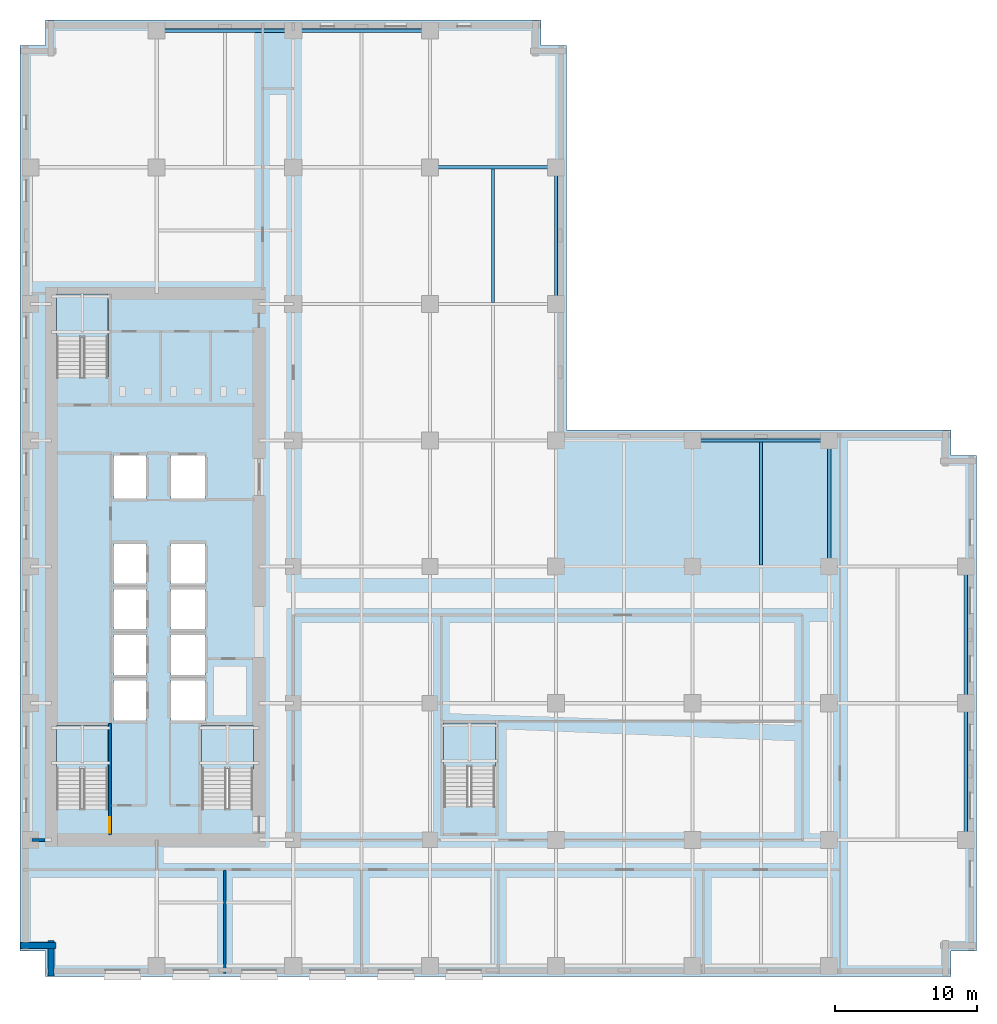
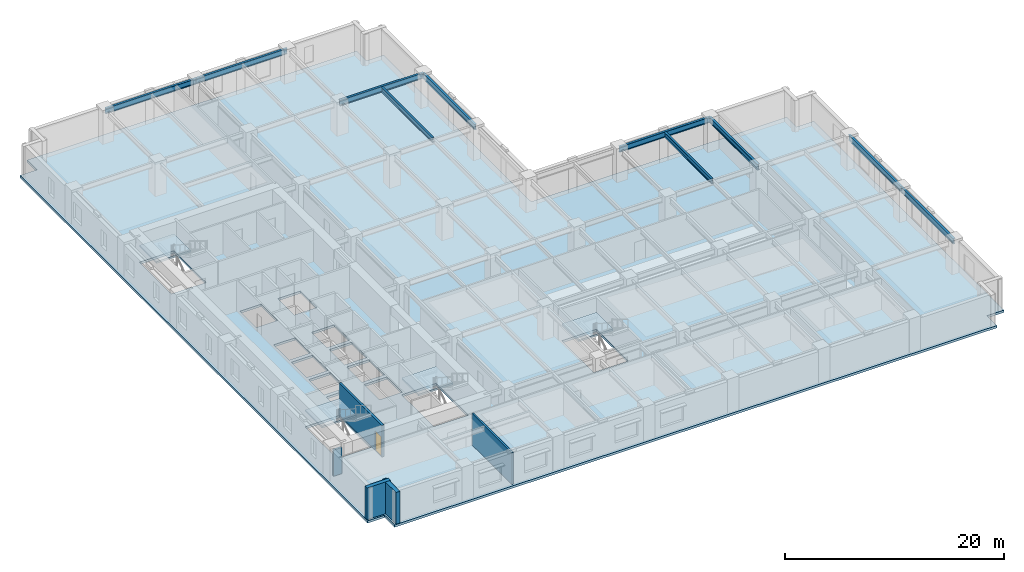
# One storey, part 3 of 14: 10 beams, 5 slabs, 5 walls, 1 door, 1 opening, 4 elements without a shape of their own.
"""IFC4 building model written with IfcOpenShell, lengths in metres."""

from ifc_helpers import new_model, si_unit, direction, frame, frame_2d, origin, origin_2d, place, context, subcontext, project, spatial, polyline, rectangle, i_section, outline, extrude, material, layer, layer_set, material_profile, profile_set, type_object, element, fill, aggregate, save


model = new_model("IFC4")

# Units and contexts
model_context = context("Model", 3, precision=1e-05, world=origin(), true_north=direction((0.0, 1.0)))
body_context = subcontext(model_context, "Body", "Model", "MODEL_VIEW")
ifc_project = project(units=[si_unit("LENGTHUNIT", "METRE"), si_unit("AREAUNIT", "SQUARE_METRE"), si_unit("VOLUMEUNIT", "CUBIC_METRE"), si_unit("PLANEANGLEUNIT", "RADIAN"), si_unit("MASSUNIT", "GRAM", prefix="KILO")], contexts=[model_context])

# Site, building, storey
site_placement = place(None, origin())
site = spatial("IfcSite", under=ifc_project, at=site_placement, CompositionType="ELEMENT")
building_placement = place(site_placement, origin())
building = spatial("IfcBuilding", under=site, at=building_placement, Name="Norrvale University Quadrangle", CompositionType="ELEMENT")
storey_placement = place(building_placement, frame((0.0, 0.0, 28.0)))
storey = spatial("IfcBuildingStorey", under=building, at=storey_placement, Name="L06", CompositionType="ELEMENT", Elevation=28.0)

# Beams
ifc_material_1 = material(Name="Steel 350W", Category="steel")
ifc_material_profile_1 = material_profile(ifc_material_1, i_section(OverallWidth=0.208984375, OverallDepth=0.532958984375, WebThickness=0.01025390625, FlangeThickness=0.015625, FilletRadius=0.013916015625, at=origin_2d()), Name="Steel 350W")
ifc_profile_set_1 = profile_set([ifc_material_profile_1], Name="Steel 350W")
beam_type_1 = type_object("IfcBeamType", Name="Beam Floor W530x92", PredefinedType="JOIST", material=ifc_profile_set_1)
beam_1_placement = place(storey_placement, frame((33.22509765625, 47.364990234375, 3.2734375), z_axis=(0.0, 1.0, 0.0), x_axis=(-1.0, 0.0, 0.0)))
element("IfcBeam", 1, at=beam_1_placement, inside=storey, type_object=beam_type_1, Name="Beam Floor W530x92 BM-L06-J091", PredefinedType="JOIST", context=body_context, shape_type="SweptSolid", body=[
    extrude(i_section(OverallWidth=0.208984375, OverallDepth=0.532958984375, WebThickness=0.01025390625, FlangeThickness=0.015625, FilletRadius=0.013916015625, at=origin_2d()), origin(), (0.0, 0.0, 1.0), 9.3701171875),
])
beam_2_placement = place(storey_placement, frame((52.050048828125, 28.9150390625, 3.2734375), z_axis=(0.0, 1.0, 0.0), x_axis=(-1.0, 0.0, 0.0)))
element("IfcBeam", 2, at=beam_2_placement, inside=storey, type_object=beam_type_1, Name="Beam Floor W530x92 BM-L06-J099", PredefinedType="JOIST", context=body_context, shape_type="SweptSolid", body=[
    extrude(i_section(OverallWidth=0.208984375, OverallDepth=0.532958984375, WebThickness=0.01025390625, FlangeThickness=0.015625, FilletRadius=0.013916015625, at=origin_2d()), origin(), (0.0, 0.0, 1.0), 8.619873046875),
])
ifc_material_profile_2 = material_profile(ifc_material_1, i_section(OverallWidth=0.22998046875, OverallDepth=0.616943359375, WebThickness=0.01318359375, FlangeThickness=0.022216796875, FilletRadius=0.01611328125, at=origin_2d()), Name="Steel 350W")
ifc_profile_set_2 = profile_set([ifc_material_profile_2], Name="Steel 350W")
beam_type_2 = type_object("IfcBeamType", Name="Beam Floor W610x140", PredefinedType="BEAM", material=ifc_profile_set_2)
beam_3_placement = place(storey_placement, frame((47.25, 37.64990234375, 3.2314453125), z_axis=(1.0, 0.0, 0.0), x_axis=(0.0, 1.0, 0.0)))
element("IfcBeam", 3, at=beam_3_placement, inside=storey, type_object=beam_type_2, Name="Beam Floor W610x140 BM-L06-GX024", PredefinedType="BEAM", context=body_context, shape_type="SweptSolid", body=[
    extrude(i_section(OverallWidth=0.22998046875, OverallDepth=0.616943359375, WebThickness=0.01318359375, FlangeThickness=0.022216796875, FilletRadius=0.01611328125, at=origin_2d()), origin(), (0.0, 0.0, 1.0), 9.60009765625),
])
beam_4_placement = place(storey_placement, frame((28.800048828125, 56.85009765625, 3.2314453125), z_axis=(1.0, 0.0, 0.0), x_axis=(0.0, 1.0, 0.0)))
element("IfcBeam", 4, at=beam_4_placement, inside=storey, type_object=beam_type_2, Name="Beam Floor W610x140 BM-L06-GX030", PredefinedType="BEAM", context=body_context, shape_type="SweptSolid", body=[
    extrude(i_section(OverallWidth=0.22998046875, OverallDepth=0.616943359375, WebThickness=0.01318359375, FlangeThickness=0.022216796875, FilletRadius=0.01611328125, at=origin_2d()), origin(), (0.0, 0.0, 1.0), 8.849853515625),
])
beam_5_placement = place(storey_placement, frame((9.60009765625, 66.449951171875, 3.2314453125), z_axis=(1.0, 0.0, 0.0), x_axis=(0.0, 1.0, 0.0)))
element("IfcBeam", 5, at=beam_5_placement, inside=storey, type_object=beam_type_2, Name="Beam Floor W610x140 BM-L06-GX031", PredefinedType="BEAM", context=body_context, shape_type="SweptSolid", body=[
    extrude(i_section(OverallWidth=0.22998046875, OverallDepth=0.616943359375, WebThickness=0.01318359375, FlangeThickness=0.022216796875, FilletRadius=0.01611328125, at=origin_2d()), origin(), (0.0, 0.0, 1.0), 9.599853515625),
])
for number, where, z_axis, x_axis, name in (
    (6, (19.199951171875, 66.449951171875, 3.2314453125), (1.0, 0.0, 0.0), (0.0, 1.0, 0.0), "Beam Floor W610x140 BM-L06-GX032"),
    (7, (37.64990234375, 47.25, 3.2314453125), (0.0, 1.0, 0.0), (-1.0, 0.0, 0.0), "Beam Floor W610x140 BM-L06-GY058"),
):
    element("IfcBeam", number, at=place(storey_placement, frame(where, z_axis=z_axis, x_axis=x_axis)), inside=storey, type_object=beam_type_2, Name=name, PredefinedType="BEAM", context=body_context, shape_type="SweptSolid", body=[
        extrude(i_section(OverallWidth=0.22998046875, OverallDepth=0.616943359375, WebThickness=0.01318359375, FlangeThickness=0.022216796875, FilletRadius=0.01611328125, at=origin_2d()), origin(), (0.0, 0.0, 1.0), 9.60009765625),
    ])
beam_6_placement = place(storey_placement, frame((56.85009765625, 28.800048828125, 3.2314453125), z_axis=(0.0, 1.0, 0.0), x_axis=(-1.0, 0.0, 0.0)))
element("IfcBeam", 8, at=beam_6_placement, inside=storey, type_object=beam_type_2, Name="Beam Floor W610x140 BM-L06-GY066", PredefinedType="BEAM", context=body_context, shape_type="SweptSolid", body=[
    extrude(i_section(OverallWidth=0.22998046875, OverallDepth=0.616943359375, WebThickness=0.01318359375, FlangeThickness=0.022216796875, FilletRadius=0.01611328125, at=origin_2d()), origin(), (0.0, 0.0, 1.0), 8.849853515625),
])
beam_7_placement = place(storey_placement, frame((66.449951171875, 9.60009765625, 3.2314453125), z_axis=(0.0, 1.0, 0.0), x_axis=(-1.0, 0.0, 0.0)))
element("IfcBeam", 9, at=beam_7_placement, inside=storey, type_object=beam_type_2, Name="Beam Floor W610x140 BM-L06-GY067", PredefinedType="BEAM", context=body_context, shape_type="SweptSolid", body=[
    extrude(i_section(OverallWidth=0.22998046875, OverallDepth=0.616943359375, WebThickness=0.01318359375, FlangeThickness=0.022216796875, FilletRadius=0.01611328125, at=origin_2d()), origin(), (0.0, 0.0, 1.0), 9.599853515625),
])
beam_8_placement = place(storey_placement, frame((66.449951171875, 19.199951171875, 3.2314453125), z_axis=(0.0, 1.0, 0.0), x_axis=(-1.0, 0.0, 0.0)))
element("IfcBeam", 10, at=beam_8_placement, inside=storey, type_object=beam_type_2, Name="Beam Floor W610x140 BM-L06-GY068", PredefinedType="BEAM", context=body_context, shape_type="SweptSolid", body=[
    extrude(i_section(OverallWidth=0.22998046875, OverallDepth=0.616943359375, WebThickness=0.01318359375, FlangeThickness=0.022216796875, FilletRadius=0.01611328125, at=origin_2d()), origin(), (0.0, 0.0, 1.0), 9.60009765625),
])

# Stair, slab
ifc_material_2 = material(Name="Concrete C40/50", Category="concrete")
stair_type = type_object("IfcStairType", Name="Stair Tower Typ 3800", PredefinedType="TWO_STRAIGHT_RUN_STAIR", material=ifc_material_2)
stair_1_placement = place(storey_placement, origin())
stair_1 = element("IfcStair", 11, at=stair_1_placement, inside=storey, type_object=stair_type, Name="Exit Stair ST-01 L06", PredefinedType="TWO_STRAIGHT_RUN_STAIR")
ifc_layer_1 = layer(ifc_material_2, 0.199951171875, Name="Concrete C40/50")
ifc_layer_set_1 = layer_set([ifc_layer_1], Name="Concrete C40/50")
slab_type_1 = type_object("IfcSlabType", Name="Slab Landing 200", PredefinedType="LANDING", material=ifc_layer_set_1)
slab_1_placement = place(storey_placement, frame((0.0, 0.0, 1.699951171875)))
slab_1 = element("IfcSlab", 12, at=slab_1_placement, type_object=slab_type_1, Name="Exit Stair ST-01 L06 Mid Landing", PredefinedType="LANDING", context=body_context, shape_type="SweptSolid", body=[
    extrude(outline(polyline([(2.550048828125, 14.590087890625), (6.199951171875, 14.590087890625), (6.199951171875, 17.64990234375), (2.550048828125, 17.64990234375), (2.550048828125, 14.590087890625)])), origin(), (0.0, 0.0, 1.0), 0.199951171875),
])
aggregate(stair_1, [slab_1])

stair_2_placement = place(storey_placement, origin())
stair_2 = element("IfcStair", 13, at=stair_2_placement, inside=storey, type_object=stair_type, Name="Exit Stair ST-02 L06", PredefinedType="TWO_STRAIGHT_RUN_STAIR")
slab_2_placement = place(storey_placement, frame((0.0, 0.0, 1.699951171875)))
slab_2 = element("IfcSlab", 14, at=slab_2_placement, type_object=slab_type_1, Name="Exit Stair ST-02 L06 Mid Landing", PredefinedType="LANDING", context=body_context, shape_type="SweptSolid", body=[
    extrude(outline(polyline([(2.550048828125, 44.889892578125), (6.199951171875, 44.889892578125), (6.199951171875, 47.949951171875), (2.550048828125, 47.949951171875), (2.550048828125, 44.889892578125)])), origin(), (0.0, 0.0, 1.0), 0.199951171875),
])
aggregate(stair_2, [slab_2])

stair_3_placement = place(storey_placement, origin())
stair_3 = element("IfcStair", 15, at=stair_3_placement, inside=storey, type_object=stair_type, Name="Exit Stair ST-03 L06", PredefinedType="TWO_STRAIGHT_RUN_STAIR")
slab_3_placement = place(storey_placement, frame((0.0, 0.0, 1.699951171875)))
slab_3 = element("IfcSlab", 16, at=slab_3_placement, type_object=slab_type_1, Name="Exit Stair ST-03 L06 Mid Landing", PredefinedType="LANDING", context=body_context, shape_type="SweptSolid", body=[
    extrude(outline(polyline([(12.75, 14.590087890625), (16.39990234375, 14.590087890625), (16.39990234375, 17.64990234375), (12.75, 17.64990234375), (12.75, 14.590087890625)])), origin(), (0.0, 0.0, 1.0), 0.199951171875),
])
aggregate(stair_3, [slab_3])

stair_4_placement = place(storey_placement, origin())
stair_4 = element("IfcStair", 17, at=stair_4_placement, inside=storey, type_object=stair_type, Name="Exit Stair ST-04 L06", PredefinedType="TWO_STRAIGHT_RUN_STAIR")
slab_4_placement = place(storey_placement, frame((0.0, 0.0, 1.699951171875)))
slab_4 = element("IfcSlab", 18, at=slab_4_placement, type_object=slab_type_1, Name="Exit Stair ST-04 L06 Mid Landing", PredefinedType="LANDING", context=body_context, shape_type="SweptSolid", body=[
    extrude(outline(polyline([(29.75, 14.739990234375), (33.39990234375, 14.739990234375), (33.39990234375, 17.800048828125), (29.75, 17.800048828125), (29.75, 14.739990234375)])), origin(), (0.0, 0.0, 1.0), 0.199951171875),
])
aggregate(stair_4, [slab_4])

# Slab
ifc_layer_2 = layer(ifc_material_2, 0.260009765625, Name="Concrete C40/50")
ifc_layer_set_2 = layer_set([ifc_layer_2], Name="Concrete C40/50")
slab_type_2 = type_object("IfcSlabType", Name="Slab Tower Typ 260", PredefinedType="FLOOR", material=ifc_layer_set_2)
slab_5_placement = place(storey_placement, frame((0.0, 0.0, -0.260009765625)))
element("IfcSlab", 19, at=slab_5_placement, inside=storey, type_object=slab_type_2, Name="Tower L06 Floor Slab", PredefinedType="FLOOR", context=body_context, shape_type="SweptSolid", body=[
    extrude(outline(polyline([(1.800048828125, 0.0), (65.39990234375, 0.0), (65.39990234375, 1.800048828125), (67.199951171875, 1.800048828125), (67.199951171875, 36.60009765625), (65.39990234375, 36.60009765625), (65.39990234375, 38.39990234375), (38.39990234375, 38.39990234375), (38.39990234375, 65.39990234375), (36.60009765625, 65.39990234375), (36.60009765625, 67.199951171875), (1.800048828125, 67.199951171875), (1.800048828125, 65.39990234375), (0.0, 65.39990234375), (0.0, 1.800048828125), (1.800048828125, 1.800048828125), (1.800048828125, 0.0)]), holes=[polyline([(2.550048828125, 11.81005859375), (6.199951171875, 11.81005859375), (6.199951171875, 17.64990234375), (2.550048828125, 17.64990234375), (2.550048828125, 11.81005859375)]), polyline([(2.550048828125, 42.110107421875), (6.199951171875, 42.110107421875), (6.199951171875, 47.949951171875), (2.550048828125, 47.949951171875), (2.550048828125, 42.110107421875)]), polyline([(12.75, 11.81005859375), (16.39990234375, 11.81005859375), (16.39990234375, 17.64990234375), (12.75, 17.64990234375), (12.75, 11.81005859375)]), polyline([(29.75, 11.9599609375), (33.39990234375, 11.9599609375), (33.39990234375, 17.800048828125), (29.75, 17.800048828125), (29.75, 11.9599609375)]), polyline([(6.60009765625, 18.0), (8.85009765625, 18.0), (8.85009765625, 20.800048828125), (6.60009765625, 20.800048828125), (6.60009765625, 18.0)]), polyline([(6.60009765625, 21.199951171875), (8.85009765625, 21.199951171875), (8.85009765625, 24.0), (6.60009765625, 24.0), (6.60009765625, 21.199951171875)]), polyline([(6.60009765625, 24.39990234375), (8.85009765625, 24.39990234375), (8.85009765625, 27.199951171875), (6.60009765625, 27.199951171875), (6.60009765625, 24.39990234375)]), polyline([(6.60009765625, 27.60009765625), (8.85009765625, 27.60009765625), (8.85009765625, 30.39990234375), (6.60009765625, 30.39990234375), (6.60009765625, 27.60009765625)]), polyline([(10.60009765625, 18.0), (13.0, 18.0), (13.0, 20.800048828125), (10.60009765625, 20.800048828125), (10.60009765625, 18.0)]), polyline([(10.60009765625, 21.199951171875), (13.0, 21.199951171875), (13.0, 24.0), (10.60009765625, 24.0), (10.60009765625, 21.199951171875)]), polyline([(10.60009765625, 24.39990234375), (13.0, 24.39990234375), (13.0, 27.199951171875), (10.60009765625, 27.199951171875), (10.60009765625, 24.39990234375)]), polyline([(10.60009765625, 27.60009765625), (13.0, 27.60009765625), (13.0, 30.39990234375), (10.60009765625, 30.39990234375), (10.60009765625, 27.60009765625)]), polyline([(6.60009765625, 33.60009765625), (8.85009765625, 33.60009765625), (8.85009765625, 36.60009765625), (6.60009765625, 36.60009765625), (6.60009765625, 33.60009765625)]), polyline([(10.60009765625, 33.60009765625), (13.0, 33.60009765625), (13.0, 36.60009765625), (10.60009765625, 36.60009765625), (10.60009765625, 33.60009765625)])]), origin(), (0.0, 0.0, 1.0), 0.260009765625),
])

# Walls
ifc_material_3 = material(Name="Acoustic Double-Stud Gypsum Partition")
ifc_layer_3 = layer(ifc_material_3, 0.179931640625, Name="Acoustic Double-Stud Gypsum Partition")
ifc_layer_set_3 = layer_set([ifc_layer_3], Name="Acoustic Double-Stud Gypsum Partition")
wall_type_1 = type_object("IfcWallType", Name="Wall Gypsum Lecture 180", PredefinedType="PARTITIONING", material=ifc_layer_set_3)
wall_1_placement = place(storey_placement, frame((14.39990234375, 0.219970703125, 0.0), z_axis=(0.0, 0.0, 1.0), x_axis=(0.0, 1.0, 0.0)))
element("IfcWall", 20, at=wall_1_placement, inside=storey, type_object=wall_type_1, Name="Interior Partition WL-L06-SP01", PredefinedType="PARTITIONING", context=body_context, shape_type="SweptSolid", body=[
    extrude(rectangle(XDim=7.280029296875, YDim=0.179931640625, at=frame_2d((3.64013671875, 0.0))), origin(), (0.0, 0.0, 1.0), 3.5400390625),
])
ifc_material_4 = material(Name="Concrete Blockwork 20 MPa Rated Wall", Category="masonry")
ifc_layer_4 = layer(ifc_material_4, 0.199951171875, Name="Concrete Blockwork 20 MPa Rated Wall")
ifc_layer_set_4 = layer_set([ifc_layer_4], Name="Concrete Blockwork 20 MPa Rated Wall")
wall_type_2 = type_object("IfcWallType", Name="Wall Lobby 200", PredefinedType="SOLIDWALL", material=ifc_layer_set_4)
wall_2_placement = place(storey_placement, frame((0.85009765625, 9.60009765625, 0.0), z_axis=(0.0, 0.0, 1.0), x_axis=(1.0, 0.0, 0.0)))
element("IfcWall", 21, at=wall_2_placement, inside=storey, type_object=wall_type_2, Name="Interior Partition WL-L06-CWRET-S", PredefinedType="SOLIDWALL", context=body_context, shape_type="SweptSolid", body=[
    extrude(rectangle(XDim=0.89501953125, YDim=0.199951171875, at=frame_2d((0.447509765625, 0.0))), origin(), (0.0, 0.0, 1.0), 2.923095703125),
])
ifc_material_5 = material(Name="Red Manganese Brick Masonry", Category="masonry")
ifc_layer_5 = layer(ifc_material_5, 0.39990234375, Name="Red Manganese Brick Masonry")
ifc_layer_set_5 = layer_set([ifc_layer_5], Name="Red Manganese Brick Masonry")
wall_type_3 = type_object("IfcWallType", Name="Wall Red Brick 400", PredefinedType="SOLIDWALL", material=ifc_layer_set_5)
for number, where, z_axis, x_axis, name in (
    (22, (0.0400390625, 2.179931640625, 0.0), (0.0, 0.0, 1.0), (1.0, 0.0, 0.0), "Exterior Brick Facade Wall L06-15.1"),
    (23, (2.179931640625, 2.52001953125, 0.0), (0.0, 0.0, 1.0), (0.0, -1.0, 0.0), "Exterior Brick Facade Wall L06-16.1"),
):
    element("IfcWall", number, at=place(storey_placement, frame(where, z_axis=z_axis, x_axis=x_axis)), inside=storey, type_object=wall_type_3, Name=name, PredefinedType="SOLIDWALL", context=body_context, shape_type="SweptSolid", body=[
        extrude(rectangle(XDim=2.47998046875, YDim=0.39990234375, at=frame_2d((1.239990234375, 0.0))), origin(), (0.0, 0.0, 1.0), 3.5400390625),
    ])

# Wall, opening, door
ifc_material_6 = material(Name="Concrete Blockwork 20 MPa Fire Shaft", Category="masonry")
ifc_layer_6 = layer(ifc_material_6, 0.219970703125, Name="Concrete Blockwork 20 MPa Fire Shaft")
ifc_layer_set_6 = layer_set([ifc_layer_6], Name="Concrete Blockwork 20 MPa Fire Shaft")
wall_type_4 = type_object("IfcWallType", Name="Wall Shaft 220", PredefinedType="SOLIDWALL", material=ifc_layer_set_6)
wall_3_placement = place(storey_placement, frame((6.31005859375, 9.949951171875, 0.0), z_axis=(0.0, 0.0, 1.0), x_axis=(0.0, 1.0, 0.0)))
wall_3 = element("IfcWall", 24, at=wall_3_placement, inside=storey, type_object=wall_type_4, Name="Stair ST-01 East Shaft Wall L06", PredefinedType="SOLIDWALL", context=body_context, shape_type="SweptSolid", body=[
    extrude(rectangle(XDim=7.81005859375, YDim=0.219970703125, at=frame_2d((3.905029296875, 0.0))), origin(), (0.0, 0.0, 1.0), 3.5400390625),
])
opening_placement = place(wall_3_placement, frame((0.139892578125, 0.0, 0.0)))
opening = element("IfcOpeningElement", 25, at=opening_placement, cuts=wall_3, Name="Opening D02", PredefinedType="OPENING", context=body_context, shape_type="SweptSolid", body=[
    extrude(rectangle(XDim=1.10009765625, YDim=2.199951171875, at=frame_2d((0.550048828125, 1.10009765625))), frame((0.0, 0.1220703125, 0.0), z_axis=(0.0, -1.0, 0.0), x_axis=(1.0, 0.0, 0.0)), (0.0, 0.0, 1.0), 0.243896484375),
])
ifc_material_7 = material(Name="Hollow Steel 350W Fire Door", Category="steel")
door_type = type_object("IfcDoorType", Name="Door Stair Exit 1100x2200", OperationType="NOTDEFINED", PredefinedType="DOOR", material=ifc_material_7)
door_placement = place(opening_placement, origin())
door = element("IfcDoor", 26, at=door_placement, inside=storey, type_object=door_type, Name="Door Stair Exit 1100x2200 DR-L06-ST01", OperationType="SINGLE_SWING_LEFT", OverallHeight=2.199951171875, OverallWidth=1.10009765625, PredefinedType="DOOR", context=body_context, shape_type="SweptSolid", body=[
    extrude(rectangle(XDim=1.10009765625, YDim=2.199951171875, at=frame_2d((0.550048828125, 1.10009765625))), frame((0.0, 0.02490234375, 0.0), z_axis=(0.0, -1.0, 0.0), x_axis=(1.0, 0.0, 0.0)), (0.0, 0.0, 1.0), 0.050048828125),
])
fill(opening, door)

save(model, "model.ifc")
